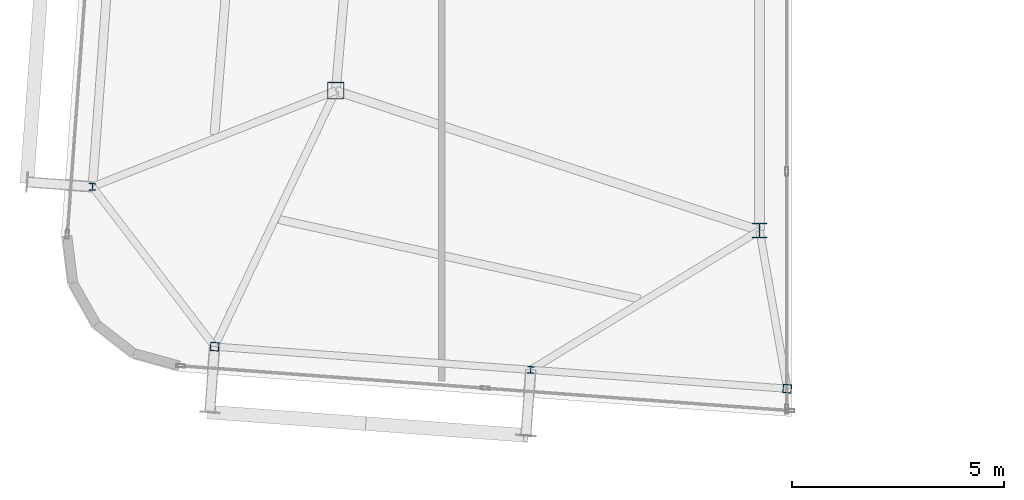
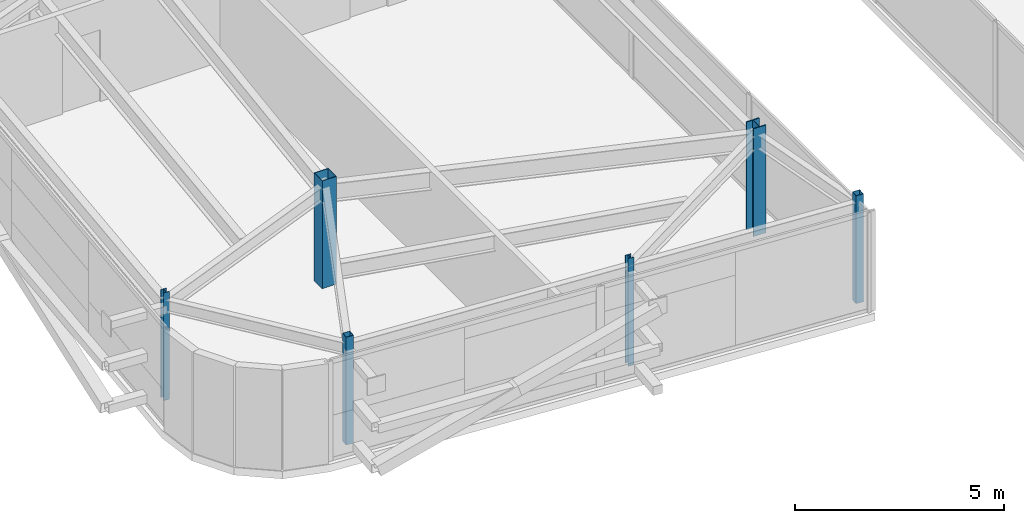
# One storey, part 1 of 39: 6 columns.
"""IFC4 building model written with IfcOpenShell, lengths in metres."""

from ifc_helpers import new_model, si_unit, direction, frame, origin, origin_2d, place, context, subcontext, project, spatial, hollow_rectangle, i_section, extrude, source, transform, mapped, material, material_profile, profile_set, type_object, element, save


model = new_model("IFC4")

# Units and contexts
model_context = context("Model", 3, precision=1e-05, world=origin(), true_north=direction((0.0, 1.0)))
body_context = subcontext(model_context, "Body", "Model", "MODEL_VIEW")
ifc_project = project(units=[si_unit("LENGTHUNIT", "METRE"), si_unit("AREAUNIT", "SQUARE_METRE"), si_unit("VOLUMEUNIT", "CUBIC_METRE"), si_unit("PLANEANGLEUNIT", "RADIAN"), si_unit("MASSUNIT", "GRAM", prefix="KILO")], contexts=[model_context])

# Site, building, storey
site_placement = place(None, origin())
site = spatial("IfcSite", under=ifc_project, at=site_placement, CompositionType="ELEMENT")
building_placement = place(site_placement, origin())
building = spatial("IfcBuilding", under=site, at=building_placement, Name="Taldren Reach Tower", CompositionType="ELEMENT")
storey_placement = place(building_placement, frame((0.0, 0.0, 230.300048828125)))
storey = spatial("IfcBuildingStorey", under=building, at=storey_placement, Name="L70", CompositionType="ELEMENT", Elevation=230.300048828125)

# Columns
ifc_material_1 = material(Name="Steel Gr 350 (350PLUS)", Category="steel")
ifc_material_profile_1 = material_profile(ifc_material_1, i_section(OverallWidth=0.35009765625, OverallDepth=0.35595703125, WebThickness=0.01806640625, FlangeThickness=0.028076171875, at=origin_2d()), Name="350WC197")
ifc_profile_set_1 = profile_set([ifc_material_profile_1], Name="Steel Gr 350 (350PLUS)")
column_type_1 = type_object("IfcColumnType", Name="COL-WC350", PredefinedType="COLUMN", material=ifc_profile_set_1)
shared_shape_1 = source(origin(), body_context, "Body", "SweptSolid", [
    extrude(i_section(OverallWidth=0.35009765625, OverallDepth=0.35595703125, WebThickness=0.01806640625, FlangeThickness=0.028076171875, at=origin_2d()), origin(), (0.0, 0.0, 1.0), 3.14990234375),
])
column_1_placement = place(storey_placement, frame((28.0, 9.199951171875, 0.0), z_axis=(0.0, 0.0, 1.0), x_axis=(1.0, 0.0, 0.0)))
element("IfcColumn", 1, at=column_1_placement, inside=storey, type_object=column_type_1, Name="Mega column MC-PJW L70", PredefinedType="COLUMN", context=body_context, shape_type="MappedRepresentation", body=[
    mapped(shared_shape_1, transform((0.0, 0.0, 0.0), scale=1.0)),
])
ifc_material_2 = material(Name="Steel Gr 450 (C450L0)", Category="steel")
ifc_material_profile_2 = material_profile(ifc_material_2, hollow_rectangle(XDim=0.39990234375, YDim=0.39990234375, WallThickness=0.01611328125, at=origin_2d()), Name="400x400x16.0SHS")
ifc_profile_set_2 = profile_set([ifc_material_profile_2], Name="Steel Gr 450 (C450L0)")
column_type_2 = type_object("IfcColumnType", Name="COL-SHS400", PredefinedType="COLUMN", material=ifc_profile_set_2)
shared_shape_2 = source(origin(), body_context, "Body", "SweptSolid", [
    extrude(hollow_rectangle(XDim=0.39990234375, YDim=0.39990234375, WallThickness=0.01611328125, at=origin_2d()), origin(), (0.0, 0.0, 1.0), 3.14990234375),
])
column_2_placement = place(storey_placement, frame((18.0, 12.5, 0.0), z_axis=(0.0, 0.0, 1.0), x_axis=(1.0, 0.0, 0.0)))
element("IfcColumn", 2, at=column_2_placement, inside=storey, type_object=column_type_2, Name="Mega column MC-SW L70", PredefinedType="COLUMN", context=body_context, shape_type="MappedRepresentation", body=[
    mapped(shared_shape_2, transform((0.0, 0.0, 0.0), scale=1.0)),
])
ifc_material_3 = material(Name="Steel Gr 350 (C350L0)", Category="steel")
ifc_material_profile_3 = material_profile(ifc_material_3, hollow_rectangle(XDim=0.199951171875, YDim=0.199951171875, WallThickness=0.009033203125, at=origin_2d()), Name="200x200x9.0SHS")
ifc_profile_set_3 = profile_set([ifc_material_profile_3], Name="Steel Gr 350 (C350L0)")
column_type_3 = type_object("IfcColumnType", Name="COL-SHS200", PredefinedType="COLUMN", material=ifc_profile_set_3)
shared_shape_3 = source(origin(), body_context, "Body", "SweptSolid", [
    extrude(hollow_rectangle(XDim=0.199951171875, YDim=0.199951171875, WallThickness=0.009033203125, at=origin_2d()), origin(), (0.0, 0.0, 1.0), 3.14990234375),
])
for number, where, z_axis, x_axis, name in (
    (3, (15.140625, 6.460205078125, 0.0), (0.0, 0.0, 1.0), (0.997314477224, -0.073238197128, 0.0), "Block B5 perimeter column S1 L70"),
    (4, (28.654296875, 5.4677734375, 0.0), (0.0, 0.0, 1.0), (0.997314477224, -0.073238197128, 0.0), "Block B5 perimeter column PJ1 L70"),
):
    element("IfcColumn", number, at=place(storey_placement, frame(where, z_axis=z_axis, x_axis=x_axis)), inside=storey, type_object=column_type_3, Name=name, PredefinedType="COLUMN", context=body_context, shape_type="MappedRepresentation", body=[
        mapped(shared_shape_3, transform((0.0, 0.0, 0.0), scale=1.0)),
    ])
ifc_material_profile_4 = material_profile(ifc_material_1, i_section(OverallWidth=0.154052734375, OverallDepth=0.162109375, WebThickness=0.008056640625, FlangeThickness=0.011474609375, at=origin_2d()), Name="150UC37.2")
ifc_profile_set_4 = profile_set([ifc_material_profile_4], Name="Steel Gr 350 (350PLUS)")
column_type_4 = type_object("IfcColumnType", Name="COL-UC150", PredefinedType="COLUMN", material=ifc_profile_set_4)
shared_shape_4 = source(origin(), body_context, "Body", "SweptSolid", [
    extrude(i_section(OverallWidth=0.154052734375, OverallDepth=0.162109375, WebThickness=0.008056640625, FlangeThickness=0.011474609375, at=origin_2d()), origin(), (0.0, 0.0, 1.0), 3.14990234375),
])
for number, where, z_axis, x_axis, name in (
    (5, (22.6005859375, 5.912353515625, 0.0), (0.0, 0.0, 1.0), (0.997314477224, -0.073238197128, 0.0), "Block B5 perimeter column S2 L70"),
    (6, (12.259033203125, 10.2314453125, 0.0), (0.0, 0.0, 1.0), (0.997314477224, -0.073238197128, 0.0), "Block B5 perimeter column W1 L70"),
):
    element("IfcColumn", number, at=place(storey_placement, frame(where, z_axis=z_axis, x_axis=x_axis)), inside=storey, type_object=column_type_4, Name=name, PredefinedType="COLUMN", context=body_context, shape_type="MappedRepresentation", body=[
        mapped(shared_shape_4, transform((0.0, 0.0, 0.0), scale=1.0)),
    ])

save(model, "model.ifc")
